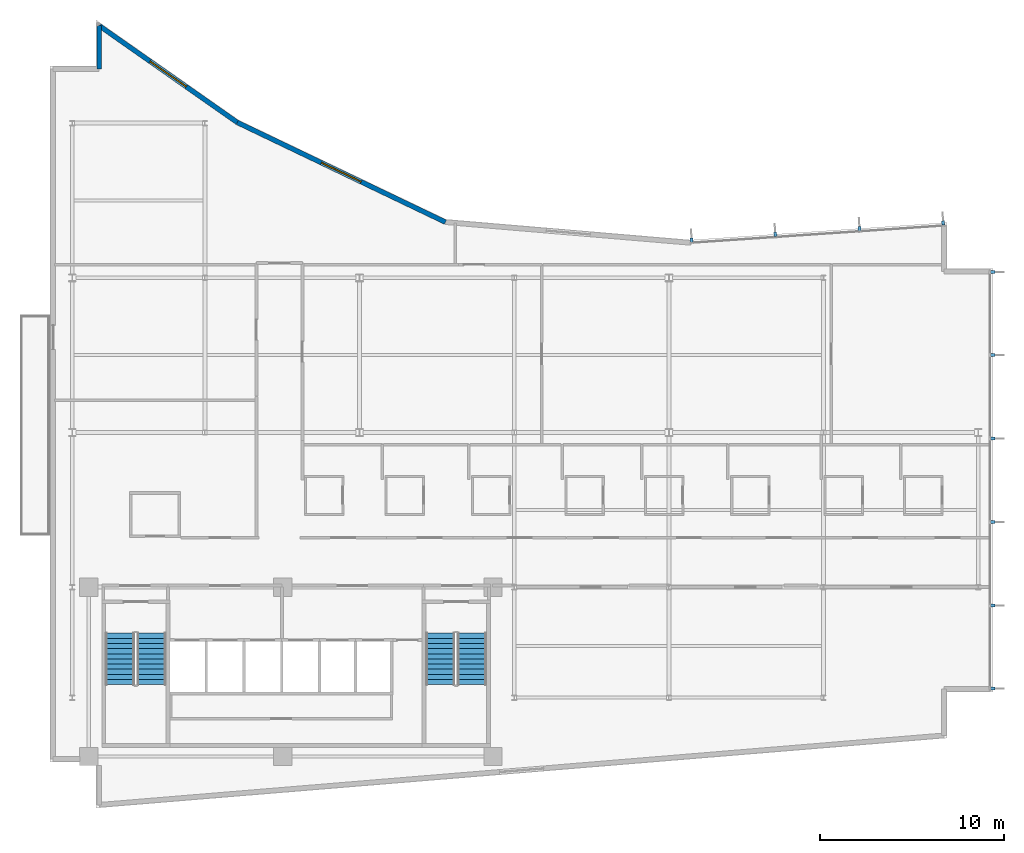
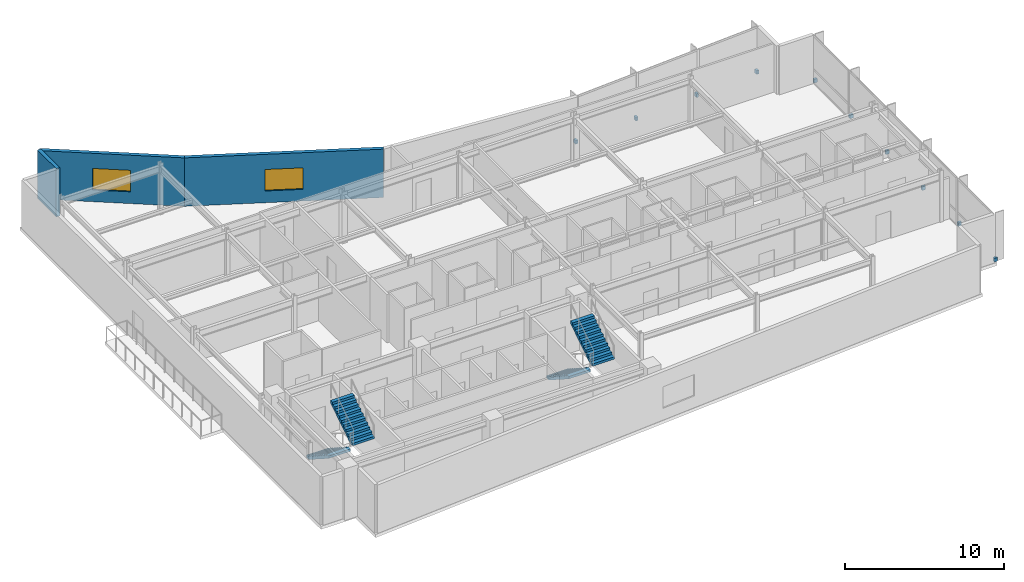
# One storey, part 14 of 17: 10 discrete accessories, 4 stair flights, 3 walls, 2 windows, 2 openings, 2 elements without a shape of their own.
"""IFC4 building model written with IfcOpenShell, lengths in metres."""

from ifc_helpers import new_model, si_unit, direction, frame, frame_2d, origin, origin_2d, place, context, subcontext, project, spatial, polyline, rectangle, outline, extrude, material, layer, layer_set, type_object, element, fill, aggregate, save


model = new_model("IFC4")

# Units and contexts
model_context = context("Model", 3, precision=1e-05, world=origin(), true_north=direction((0.0, 1.0)))
body_context = subcontext(model_context, "Body", "Model", "MODEL_VIEW")
ifc_project = project(units=[si_unit("LENGTHUNIT", "METRE"), si_unit("AREAUNIT", "SQUARE_METRE"), si_unit("VOLUMEUNIT", "CUBIC_METRE"), si_unit("PLANEANGLEUNIT", "RADIAN"), si_unit("MASSUNIT", "GRAM", prefix="KILO")], contexts=[model_context])

# Site, building, storey
site_placement = place(None, origin())
site = spatial("IfcSite", under=ifc_project, at=site_placement, CompositionType="ELEMENT")
building_placement = place(site_placement, origin())
building = spatial("IfcBuilding", under=site, at=building_placement, Name="Varnakote Quay Hospital", CompositionType="ELEMENT")
storey_placement = place(building_placement, frame((0.0, 0.0, 227.64990234375)))
storey = spatial("IfcBuildingStorey", under=building, at=storey_placement, Name="L56", CompositionType="ELEMENT", Elevation=227.64990234375)

# Wall, opening, window
ifc_material_1 = material(Name="Precast concrete N50 (f'c 50 MPa)", Category="concrete")
ifc_layer_1 = layer(ifc_material_1, 0.260009765625)
ifc_layer_set_1 = layer_set([ifc_layer_1], Name="Precast concrete N50 (f'c 50 MPa)")
wall_type = type_object("IfcWallType", Name="WL-EXT-BRICK-260", PredefinedType="STANDARD", material=ifc_layer_set_1)
wall_1_placement = place(storey_placement, frame((21.461181640625, 31.822998046875, 0.0), z_axis=(0.0, 0.0, 1.0), x_axis=(-0.901858094827, 0.432032379336, 0.0)))
wall_1 = element("IfcWall", 1, at=wall_1_placement, inside=storey, type_object=wall_type, Name="L56 Brick-Faced Precast Exterior Wall", PredefinedType="STANDARD", context=body_context, shape_type="SweptSolid", body=[
    extrude(rectangle(XDim=12.5322265625, YDim=0.260009765625, at=frame_2d((6.26611328125, 0.0))), origin(), (0.0, 0.0, 1.0), 3.710205078125),
])
opening_1_placement = place(wall_1_placement, frame((5.066162109375, 0.0, 0.89990234375)))
opening_1 = element("IfcOpeningElement", 2, at=opening_1_placement, cuts=wall_1, Name="Opening WN-0232", PredefinedType="OPENING", context=body_context, shape_type="SweptSolid", body=[
    extrude(rectangle(XDim=2.39990234375, YDim=1.64990234375, at=frame_2d((1.199951171875, 0.824951171875))), frame((0.0, 0.139892578125, 0.0), z_axis=(0.0, -1.0, 0.0), x_axis=(1.0, 0.0, 0.0)), (0.0, 0.0, 1.0), 0.280029296875),
])
ifc_material_2 = material(Name="Double-glazed low-E solar glass", Category="glass")
window_type = type_object("IfcWindowType", Name="WIN-CLIN-2400x1650", PartitioningType="SINGLE_PANEL", PredefinedType="WINDOW", material=ifc_material_2)
window_1_placement = place(opening_1_placement, origin())
window_1 = element("IfcWindow", 3, at=window_1_placement, inside=storey, type_object=window_type, Name="L56 Solar-Control Clinical Window", OverallHeight=1.64990234375, OverallWidth=2.39990234375, PartitioningType="SINGLE_PANEL", PredefinedType="WINDOW", context=body_context, shape_type="SweptSolid", body=[
    extrude(rectangle(XDim=2.39990234375, YDim=1.64990234375, at=frame_2d((1.199951171875, 0.824951171875))), frame((0.0, 0.030029296875, 0.0), z_axis=(0.0, -1.0, 0.0), x_axis=(1.0, 0.0, 0.0)), (0.0, 0.0, 1.0), 0.06005859375),
])
fill(opening_1, window_1)

wall_2_placement = place(storey_placement, frame((10.158935546875, 37.2373046875, 0.0), z_axis=(0.0, 0.0, 1.0), x_axis=(-0.818933702389, 0.57388813465, 0.0)))
wall_2 = element("IfcWall", 4, at=wall_2_placement, inside=storey, type_object=wall_type, Name="L56 Brick-Faced Precast Exterior Wall", PredefinedType="STANDARD", context=body_context, shape_type="SweptSolid", body=[
    extrude(rectangle(XDim=9.156982421875, YDim=0.260009765625, at=frame_2d((4.57861328125, 0.0))), origin(), (0.0, 0.0, 1.0), 3.710205078125),
])
opening_2_placement = place(wall_2_placement, frame((3.37841796875, 0.0, 0.89990234375)))
opening_2 = element("IfcOpeningElement", 5, at=opening_2_placement, cuts=wall_2, Name="Opening WN-0233", PredefinedType="OPENING", context=body_context, shape_type="SweptSolid", body=[
    extrude(rectangle(XDim=2.39990234375, YDim=1.64990234375, at=frame_2d((1.199951171875, 0.824951171875))), frame((0.0, 0.139892578125, 0.0), z_axis=(0.0, -1.0, 0.0), x_axis=(1.0, 0.0, 0.0)), (0.0, 0.0, 1.0), 0.280029296875),
])
window_2_placement = place(opening_2_placement, origin())
window_2 = element("IfcWindow", 6, at=window_2_placement, inside=storey, type_object=window_type, Name="L56 Solar-Control Clinical Window", OverallHeight=1.64990234375, OverallWidth=2.39990234375, PartitioningType="SINGLE_PANEL", PredefinedType="WINDOW", context=body_context, shape_type="SweptSolid", body=[
    extrude(rectangle(XDim=2.39990234375, YDim=1.64990234375, at=frame_2d((1.199951171875, 0.824951171875))), frame((0.0, 0.030029296875, 0.0), z_axis=(0.0, -1.0, 0.0), x_axis=(1.0, 0.0, 0.0)), (0.0, 0.0, 1.0), 0.06005859375),
])
fill(opening_2, window_2)

# Wall
wall_3_placement = place(storey_placement, frame((2.659912109375, 42.492431640625, 0.0), z_axis=(0.0, 0.0, 1.0), x_axis=(0.0, -1.0, 0.0)))
element("IfcWall", 7, at=wall_3_placement, inside=storey, type_object=wall_type, Name="L56 Brick-Faced Precast Exterior Wall", PredefinedType="STANDARD", context=body_context, shape_type="SweptSolid", body=[
    extrude(rectangle(XDim=2.3525390625, YDim=0.260009765625, at=frame_2d((1.17626953125, 0.0))), origin(), (0.0, 0.0, 1.0), 3.710205078125),
])

# Stair, stair flights
ifc_material_3 = material(Name="Concrete N40 (f'c 40 MPa)", Category="concrete")
stair_type = type_object("IfcStairType", Name="STR-CORE-1580", PredefinedType="HALF_TURN_STAIR", material=ifc_material_3)
stair_1_placement = place(storey_placement, origin())
stair_1 = element("IfcStair", 8, at=stair_1_placement, inside=storey, type_object=stair_type, Name="L56 Fire-Isolated Exit Stair ST-01", PredefinedType="HALF_TURN_STAIR")
ifc_material_4 = material(Name="Concrete N40 (f'c 40 MPa)", Category="concrete")
ifc_layer_2 = layer(ifc_material_4, 0.159912109375)
ifc_layer_set_2 = layer_set([ifc_layer_2], Name="Concrete N40 (f'c 40 MPa)")
stair_flight_type = type_object("IfcStairFlightType", Name="FLT-CORE-1580", PredefinedType="STRAIGHT", material=ifc_layer_set_2)
stair_flight_1_placement = place(storey_placement, frame((3.7900390625, 9.5, 0.0), z_axis=(0.0, 0.0, 1.0), x_axis=(0.0, -1.0, 0.0)))
stair_flight_1 = element("IfcStairFlight", 9, at=stair_flight_1_placement, type_object=stair_flight_type, Name="ST-01 flight 1", NumberOfRisers=11, NumberOfTreads=10, PredefinedType="STRAIGHT", RiserHeight=0.179545455, TreadLength=0.28, context=body_context, shape_type="SweptSolid", body=[
    extrude(outline(polyline([(0.0, 0.0), (0.0, 0.179443359375), (0.280029296875, 0.179443359375), (0.280029296875, 0.359130859375), (0.56005859375, 0.359130859375), (0.56005859375, 0.53857421875), (0.840087890625, 0.53857421875), (0.840087890625, 0.71826171875), (1.1201171875, 0.71826171875), (1.1201171875, 0.897705078125), (1.39990234375, 0.897705078125), (1.39990234375, 1.077392578125), (1.679931640625, 1.077392578125), (1.679931640625, 1.2568359375), (1.9599609375, 1.2568359375), (1.9599609375, 1.436279296875), (2.239990234375, 1.436279296875), (2.239990234375, 1.615966796875), (2.52001953125, 1.615966796875), (2.52001953125, 1.79541015625), (2.800048828125, 1.79541015625), (2.800048828125, 1.97509765625), (2.800048828125, 1.60546875), (0.296142578125, 0.0), (0.0, 0.0)])), frame((0.0, 0.7900390625, 0.0), z_axis=(0.0, -1.0, 0.0), x_axis=(1.0, 0.0, 0.0)), (0.0, 0.0, 1.0), 1.580078125),
])
stair_flight_2_placement = place(storey_placement, frame((5.510009765625, 6.699951171875, 1.97509765625), z_axis=(0.0, 0.0, 1.0), x_axis=(0.0, 1.0, 0.0)))
stair_flight_2 = element("IfcStairFlight", 10, at=stair_flight_2_placement, type_object=stair_flight_type, Name="ST-01 flight 2", NumberOfRisers=11, NumberOfTreads=10, PredefinedType="STRAIGHT", RiserHeight=0.179545455, TreadLength=0.28, context=body_context, shape_type="SweptSolid", body=[
    extrude(outline(polyline([(0.0, 0.0), (0.0, 0.179443359375), (0.280029296875, 0.179443359375), (0.280029296875, 0.359130859375), (0.56005859375, 0.359130859375), (0.56005859375, 0.53857421875), (0.840087890625, 0.53857421875), (0.840087890625, 0.71826171875), (1.1201171875, 0.71826171875), (1.1201171875, 0.897705078125), (1.39990234375, 0.897705078125), (1.39990234375, 1.077392578125), (1.679931640625, 1.077392578125), (1.679931640625, 1.2568359375), (1.9599609375, 1.2568359375), (1.9599609375, 1.436279296875), (2.239990234375, 1.436279296875), (2.239990234375, 1.615966796875), (2.52001953125, 1.615966796875), (2.52001953125, 1.79541015625), (2.800048828125, 1.79541015625), (2.800048828125, 1.97509765625), (2.800048828125, 1.60546875), (0.296142578125, 0.0), (0.0, 0.0)])), frame((0.0, 0.7900390625, 0.0), z_axis=(0.0, -1.0, 0.0), x_axis=(1.0, 0.0, 0.0)), (0.0, 0.0, 1.0), 1.580078125),
])
aggregate(stair_1, [stair_flight_1, stair_flight_2])

stair_2_placement = place(storey_placement, origin())
stair_2 = element("IfcStair", 11, at=stair_2_placement, inside=storey, type_object=stair_type, Name="L56 Fire-Isolated Exit Stair ST-02", PredefinedType="HALF_TURN_STAIR")
stair_flight_3_placement = place(storey_placement, frame((21.18994140625, 9.5, 0.0), z_axis=(0.0, 0.0, 1.0), x_axis=(0.0, -1.0, 0.0)))
stair_flight_3 = element("IfcStairFlight", 12, at=stair_flight_3_placement, type_object=stair_flight_type, Name="ST-02 flight 1", NumberOfRisers=11, NumberOfTreads=10, PredefinedType="STRAIGHT", RiserHeight=0.179545455, TreadLength=0.28, context=body_context, shape_type="SweptSolid", body=[
    extrude(outline(polyline([(0.0, 0.0), (0.0, 0.179443359375), (0.280029296875, 0.179443359375), (0.280029296875, 0.359130859375), (0.56005859375, 0.359130859375), (0.56005859375, 0.53857421875), (0.840087890625, 0.53857421875), (0.840087890625, 0.71826171875), (1.1201171875, 0.71826171875), (1.1201171875, 0.897705078125), (1.39990234375, 0.897705078125), (1.39990234375, 1.077392578125), (1.679931640625, 1.077392578125), (1.679931640625, 1.2568359375), (1.9599609375, 1.2568359375), (1.9599609375, 1.436279296875), (2.239990234375, 1.436279296875), (2.239990234375, 1.615966796875), (2.52001953125, 1.615966796875), (2.52001953125, 1.79541015625), (2.800048828125, 1.79541015625), (2.800048828125, 1.97509765625), (2.800048828125, 1.60546875), (0.296142578125, 0.0), (0.0, 0.0)])), frame((0.0, 0.7900390625, 0.0), z_axis=(0.0, -1.0, 0.0), x_axis=(1.0, 0.0, 0.0)), (0.0, 0.0, 1.0), 1.580078125),
])
stair_flight_4_placement = place(storey_placement, frame((22.909912109375, 6.699951171875, 1.97509765625), z_axis=(0.0, 0.0, 1.0), x_axis=(0.0, 1.0, 0.0)))
stair_flight_4 = element("IfcStairFlight", 13, at=stair_flight_4_placement, type_object=stair_flight_type, Name="ST-02 flight 2", NumberOfRisers=11, NumberOfTreads=10, PredefinedType="STRAIGHT", RiserHeight=0.179545455, TreadLength=0.28, context=body_context, shape_type="SweptSolid", body=[
    extrude(outline(polyline([(0.0, 0.0), (0.0, 0.179443359375), (0.280029296875, 0.179443359375), (0.280029296875, 0.359130859375), (0.56005859375, 0.359130859375), (0.56005859375, 0.53857421875), (0.840087890625, 0.53857421875), (0.840087890625, 0.71826171875), (1.1201171875, 0.71826171875), (1.1201171875, 0.897705078125), (1.39990234375, 0.897705078125), (1.39990234375, 1.077392578125), (1.679931640625, 1.077392578125), (1.679931640625, 1.2568359375), (1.9599609375, 1.2568359375), (1.9599609375, 1.436279296875), (2.239990234375, 1.436279296875), (2.239990234375, 1.615966796875), (2.52001953125, 1.615966796875), (2.52001953125, 1.79541015625), (2.800048828125, 1.79541015625), (2.800048828125, 1.97509765625), (2.800048828125, 1.60546875), (0.296142578125, 0.0), (0.0, 0.0)])), frame((0.0, 0.7900390625, 0.0), z_axis=(0.0, -1.0, 0.0), x_axis=(1.0, 0.0, 0.0)), (0.0, 0.0, 1.0), 1.580078125),
])
aggregate(stair_2, [stair_flight_3, stair_flight_4])

# Discrete accessories
ifc_material_5 = material(Name="Anodised aluminium 6063-T6 Bronze", Category="aluminium")
discrete_accessory_type = type_object("IfcDiscreteAccessoryType", Name="ACC-FIN-BRACKET-180", PredefinedType="BRACKET", material=ifc_material_5)
for number, where, z_axis, x_axis, name in (
    (14, (51.18994140625, 6.492431640625, 0.0), (0.0, 0.0, 1.0), (0.0, 1.0, 0.0), "L56 Curtain Wall Fin Fixing Bracket"),
    (15, (51.18994140625, 10.99609375, 0.0), (0.0, 0.0, 1.0), (0.0, 1.0, 0.0), "L56 Curtain Wall Fin Fixing Bracket"),
    (16, (51.18994140625, 15.531982421875, 0.0), (0.0, 0.0, 1.0), (0.0, 1.0, 0.0), "L56 Curtain Wall Fin Fixing Bracket"),
    (17, (51.18994140625, 20.068115234375, 0.0), (0.0, 0.0, 1.0), (0.0, 1.0, 0.0), "L56 Curtain Wall Fin Fixing Bracket"),
    (18, (51.18994140625, 24.60400390625, 0.0), (0.0, 0.0, 1.0), (0.0, 1.0, 0.0), "L56 Curtain Wall Fin Fixing Bracket"),
    (19, (51.18994140625, 29.107421875, 0.0), (0.0, 0.0, 1.0), (0.0, 1.0, 0.0), "L56 Curtain Wall Fin Fixing Bracket"),
    (20, (48.497314453125, 31.776123046875, 0.0), (0.0, 0.0, 1.0), (-0.997696134548, -0.067841160875, 0.0), "L56 Curtain Wall Fin Fixing Bracket"),
    (21, (43.95458984375, 31.46728515625, 0.0), (0.0, 0.0, 1.0), (-0.997696134548, -0.067841160875, 0.0), "L56 Curtain Wall Fin Fixing Bracket"),
    (22, (39.379638671875, 31.15625, 0.0), (0.0, 0.0, 1.0), (-0.997696134548, -0.067841160875, 0.0), "L56 Curtain Wall Fin Fixing Bracket"),
    (23, (34.8369140625, 30.847412109375, 0.0), (0.0, 0.0, 1.0), (-0.997696134548, -0.067841160875, 0.0), "L56 Curtain Wall Fin Fixing Bracket"),
):
    element("IfcDiscreteAccessory", number, at=place(storey_placement, frame(where, z_axis=z_axis, x_axis=x_axis)), inside=storey, type_object=discrete_accessory_type, Name=name, PredefinedType="BRACKET", context=body_context, shape_type="SweptSolid", body=[
        extrude(rectangle(XDim=0.159912109375, YDim=0.239990234375, at=origin_2d()), origin(), (0.0, 0.0, 1.0), 0.280029296875),
    ])

save(model, "model.ifc")
